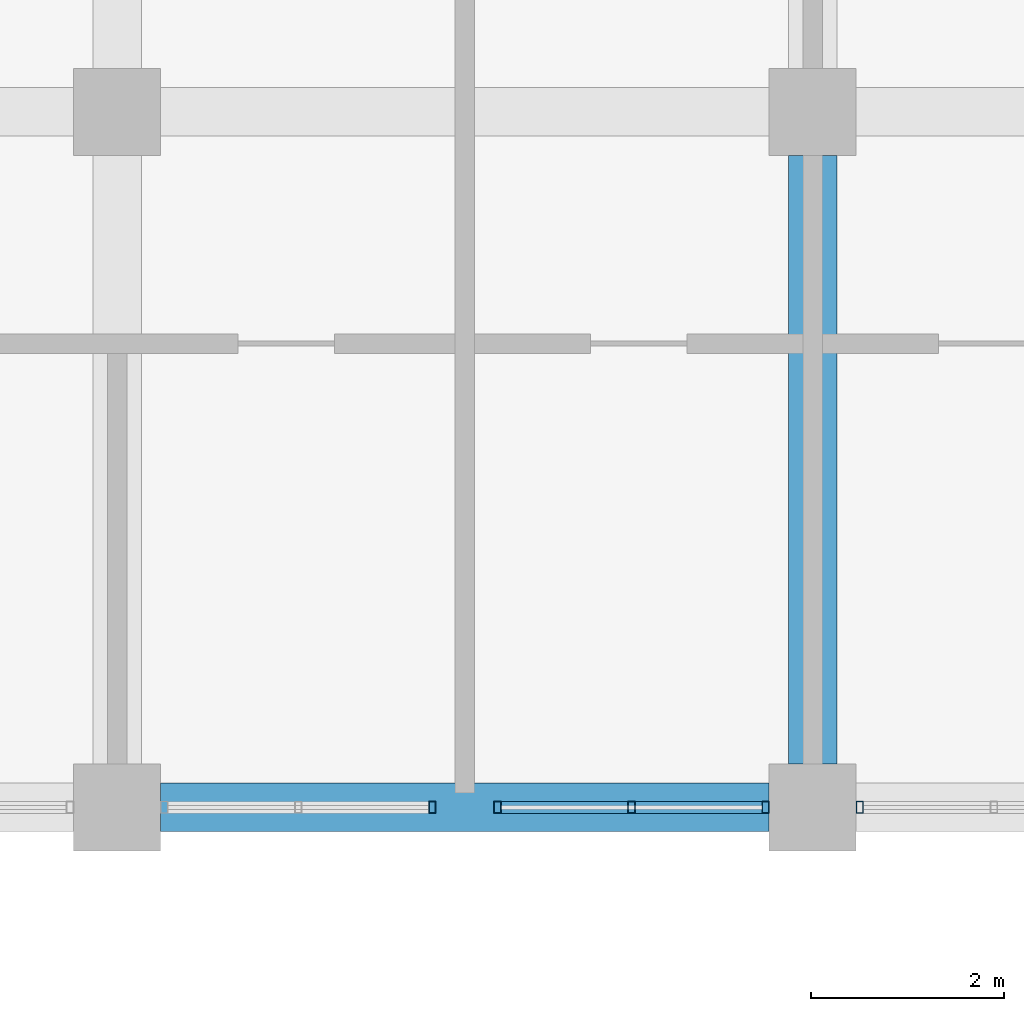
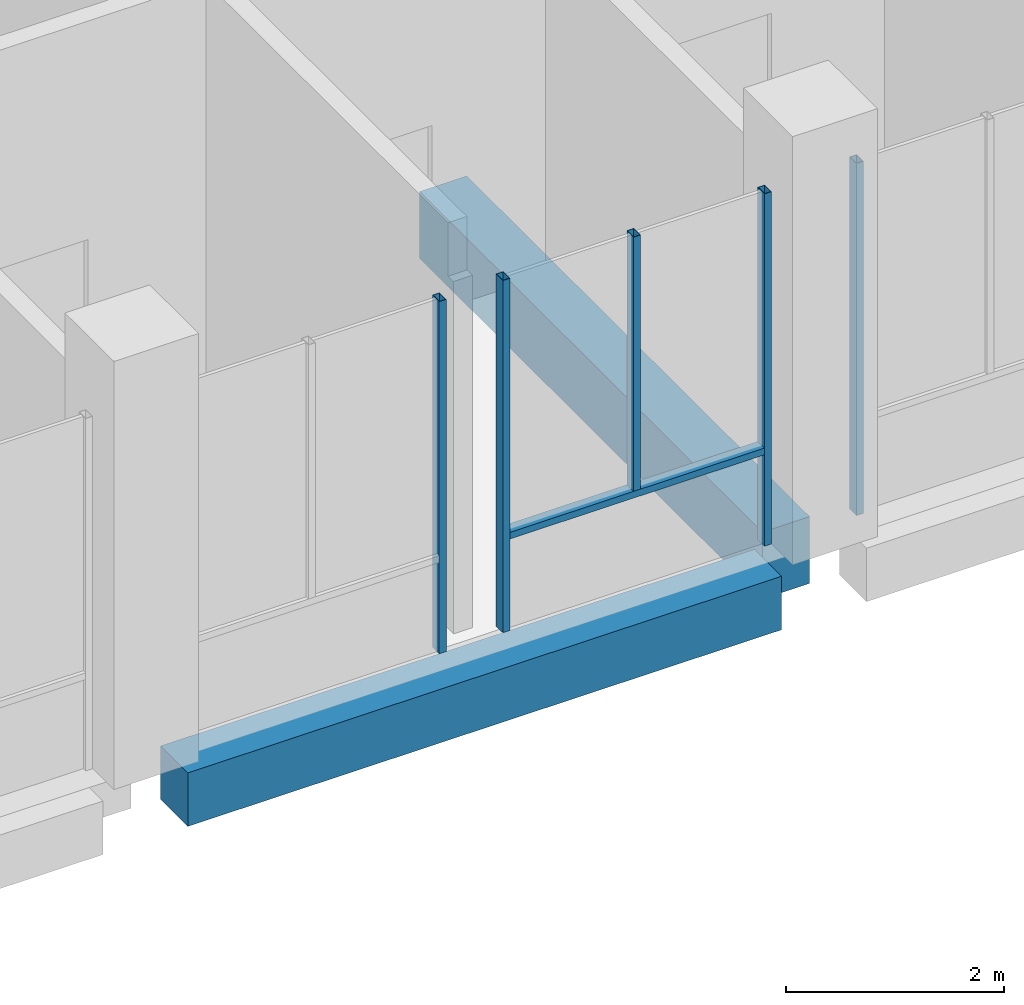
# One storey, part 8 of 39: 6 members, 2 beams, 3 elements without a shape of their own.
"""IFC4 building model written with IfcOpenShell, lengths in metres."""

from ifc_helpers import new_model, si_unit, direction, frame, origin, origin_2d, place, context, subcontext, project, spatial, rectangle, hollow_rectangle, extrude, material, material_profile, profile_set, type_object, element, aggregate, save


model = new_model("IFC4")

# Units and contexts
model_context = context("Model", 3, precision=1e-05, world=origin(), true_north=direction((0.0, 1.0)))
body_context = subcontext(model_context, "Body", "Model", "MODEL_VIEW")
ifc_project = project(units=[si_unit("LENGTHUNIT", "METRE"), si_unit("AREAUNIT", "SQUARE_METRE"), si_unit("VOLUMEUNIT", "CUBIC_METRE"), si_unit("PLANEANGLEUNIT", "RADIAN"), si_unit("MASSUNIT", "GRAM", prefix="KILO")], contexts=[model_context])

# Site, building, storey
site_placement = place(None, origin())
site = spatial("IfcSite", under=ifc_project, at=site_placement, CompositionType="ELEMENT")
building_placement = place(site_placement, origin())
building = spatial("IfcBuilding", under=site, at=building_placement, Name="Silangan Lancet Faculty of Sciences", CompositionType="ELEMENT")
storey_placement = place(building_placement, frame((0.0, 0.0, 26.39990234375)))
storey = spatial("IfcBuildingStorey", under=building, at=storey_placement, Name="L05", CompositionType="ELEMENT", Elevation=26.39990234375)

# Beams
ifc_material_1 = material(Name="Concrete C40/50", Category="concrete")
ifc_material_profile_1 = material_profile(ifc_material_1, rectangle(XDim=0.5, YDim=0.60009765625, at=origin_2d()), Name="RC 500x600")
ifc_profile_set_1 = profile_set([ifc_material_profile_1], Name="Concrete C40/50")
beam_type_1 = type_object("IfcBeamType", Name="BEAM RC 500x600", PredefinedType="BEAM", material=ifc_profile_set_1)
beam_1_placement = place(storey_placement, frame((7.64990234375, 36.0, -0.5498046875), z_axis=(1.0, 0.0, 0.0), x_axis=(0.0, 1.0, 0.0)))
element("IfcBeam", 1, at=beam_1_placement, inside=storey, type_object=beam_type_1, Name="BM-L05-2F-3F", PredefinedType="BEAM", context=body_context, shape_type="SweptSolid", body=[
    extrude(rectangle(XDim=0.5, YDim=0.60009765625, at=origin_2d()), origin(), (0.0, 0.0, 1.0), 6.300048828125),
])
ifc_material_2 = material(Name="Concrete C40/50", Category="concrete")
ifc_material_profile_2 = material_profile(ifc_material_2, rectangle(XDim=0.5, YDim=0.75, at=origin_2d()), Name="RC 500x750")
ifc_profile_set_2 = profile_set([ifc_material_profile_2], Name="Concrete C40/50")
beam_type_2 = type_object("IfcBeamType", Name="BEAM RC 500x750", PredefinedType="BEAM", material=ifc_profile_set_2)
beam_2_placement = place(storey_placement, frame((14.39990234375, 36.449951171875, -0.625), z_axis=(0.0, 1.0, 0.0), x_axis=(-1.0, 0.0, 0.0)))
element("IfcBeam", 2, at=beam_2_placement, inside=storey, type_object=beam_type_2, Name="BM-L05-3F-3G", PredefinedType="BEAM", context=body_context, shape_type="SweptSolid", body=[
    extrude(rectangle(XDim=0.5, YDim=0.75, at=origin_2d()), origin(), (0.0, 0.0, 1.0), 6.300048828125),
])

# Curtain wall, member
ifc_material_3 = material(Name="Aluminium framed curtain wall with insulated glass", Category="aluminium")
curtain_wall_type = type_object("IfcCurtainWallType", Name="CW2 Atrium fire-resisting screen", PredefinedType="NOTDEFINED", material=ifc_material_3)
curtain_wall_1_placement = place(storey_placement, origin())
curtain_wall_1 = element("IfcCurtainWall", 3, at=curtain_wall_1_placement, inside=storey, type_object=curtain_wall_type, Name="CW2 Atrium north L05 bay 3", PredefinedType="NOTDEFINED")
ifc_material_4 = material(Name="Steel S355J2H", Category="steel")
ifc_material_profile_3 = material_profile(ifc_material_4, hollow_rectangle(XDim=0.074951171875, YDim=0.125, WallThickness=0.0048828125, at=origin_2d()), Name="ST BOX 75x125x5")
ifc_profile_set_3 = profile_set([ifc_material_profile_3], Name="Steel S355J2H")
member_type_1 = type_object("IfcMemberType", Name="CM2 Mullion 75x125", PredefinedType="MULLION", material=ifc_profile_set_3)
member_1_placement = place(storey_placement, frame((10.46240234375, 36.0, 0.0), z_axis=(0.0, 0.0, 1.0), x_axis=(1.0, 0.0, 0.0)))
member_1 = element("IfcMember", 4, at=member_1_placement, type_object=member_type_1, Name="CW2 Atrium north L05 bay 3 mullion 2", PredefinedType="MULLION", context=body_context, shape_type="SweptSolid", body=[
    extrude(hollow_rectangle(XDim=0.074951171875, YDim=0.125, WallThickness=0.0048828125, at=origin_2d()), origin(), (0.0, 0.0, 1.0), 3.9501953125),
])
aggregate(curtain_wall_1, [member_1])

# Curtain wall, members
curtain_wall_2_placement = place(storey_placement, origin())
curtain_wall_2 = element("IfcCurtainWall", 5, at=curtain_wall_2_placement, inside=storey, type_object=curtain_wall_type, Name="CW2 Atrium north L05 bay 4", PredefinedType="NOTDEFINED")
member_2_placement = place(storey_placement, frame((11.137451171875, 36.0, 0.0), z_axis=(0.0, 0.0, 1.0), x_axis=(1.0, 0.0, 0.0)))
member_2 = element("IfcMember", 6, at=member_2_placement, type_object=member_type_1, Name="CW2 Atrium north L05 bay 4 mullion 1", PredefinedType="MULLION", context=body_context, shape_type="SweptSolid", body=[
    extrude(hollow_rectangle(XDim=0.074951171875, YDim=0.125, WallThickness=0.0048828125, at=origin_2d()), origin(), (0.0, 0.0, 1.0), 3.9501953125),
])
member_3_placement = place(storey_placement, frame((13.91259765625, 36.0, 0.0), z_axis=(0.0, 0.0, 1.0), x_axis=(1.0, 0.0, 0.0)))
member_3 = element("IfcMember", 7, at=member_3_placement, type_object=member_type_1, Name="CW2 Atrium north L05 bay 4 mullion 2", PredefinedType="MULLION", context=body_context, shape_type="SweptSolid", body=[
    extrude(hollow_rectangle(XDim=0.074951171875, YDim=0.125, WallThickness=0.0048828125, at=origin_2d()), origin(), (0.0, 0.0, 1.0), 3.9501953125),
])
member_4_placement = place(storey_placement, frame((12.52490234375, 36.0, 1.10009765625), z_axis=(0.0, 0.0, 1.0), x_axis=(1.0, 0.0, 0.0)))
member_4 = element("IfcMember", 8, at=member_4_placement, type_object=member_type_1, Name="CW2 Atrium north L05 bay 4 mullion 3", PredefinedType="MULLION", context=body_context, shape_type="SweptSolid", body=[
    extrude(hollow_rectangle(XDim=0.074951171875, YDim=0.125, WallThickness=0.0048828125, at=origin_2d()), origin(), (0.0, 0.0, 1.0), 2.85009765625),
])

# Curtain wall, member
curtain_wall_3_placement = place(storey_placement, origin())
curtain_wall_3 = element("IfcCurtainWall", 9, at=curtain_wall_3_placement, inside=storey, type_object=curtain_wall_type, Name="CW2 Atrium north L05 bay 5", PredefinedType="NOTDEFINED")
member_5_placement = place(storey_placement, frame((14.887451171875, 36.0, 0.0), z_axis=(0.0, 0.0, 1.0), x_axis=(1.0, 0.0, 0.0)))
member_5 = element("IfcMember", 10, at=member_5_placement, type_object=member_type_1, Name="CW2 Atrium north L05 bay 5 mullion 1", PredefinedType="MULLION", context=body_context, shape_type="SweptSolid", body=[
    extrude(hollow_rectangle(XDim=0.074951171875, YDim=0.125, WallThickness=0.0048828125, at=origin_2d()), origin(), (0.0, 0.0, 1.0), 3.9501953125),
])
aggregate(curtain_wall_3, [member_5])

# Member
ifc_material_5 = material(Name="Steel S355J2H", Category="steel")
ifc_material_profile_4 = material_profile(ifc_material_5, hollow_rectangle(XDim=0.125, YDim=0.074951171875, WallThickness=0.0048828125, at=origin_2d()), Name="ST BOX 125x75x5")
ifc_profile_set_4 = profile_set([ifc_material_profile_4], Name="Steel S355J2H")
member_type_2 = type_object("IfcMemberType", Name="CT2 Transom 125x75", PredefinedType="USERDEFINED", material=ifc_profile_set_4)
member_6_placement = place(storey_placement, frame((11.175048828125, 36.0, 1.0625), z_axis=(1.0, 0.0, 0.0), x_axis=(0.0, 1.0, 0.0)))
member_6 = element("IfcMember", 11, at=member_6_placement, type_object=member_type_2, Name="CW2 Atrium north L05 bay 4 transom 1", ObjectType="TRANSOM", PredefinedType="USERDEFINED", context=body_context, shape_type="SweptSolid", body=[
    extrude(hollow_rectangle(XDim=0.125, YDim=0.074951171875, WallThickness=0.0048828125, at=origin_2d()), origin(), (0.0, 0.0, 1.0), 2.699951171875),
])

aggregate(curtain_wall_2, [member_2, member_3, member_4, member_6])

save(model, "model.ifc")
